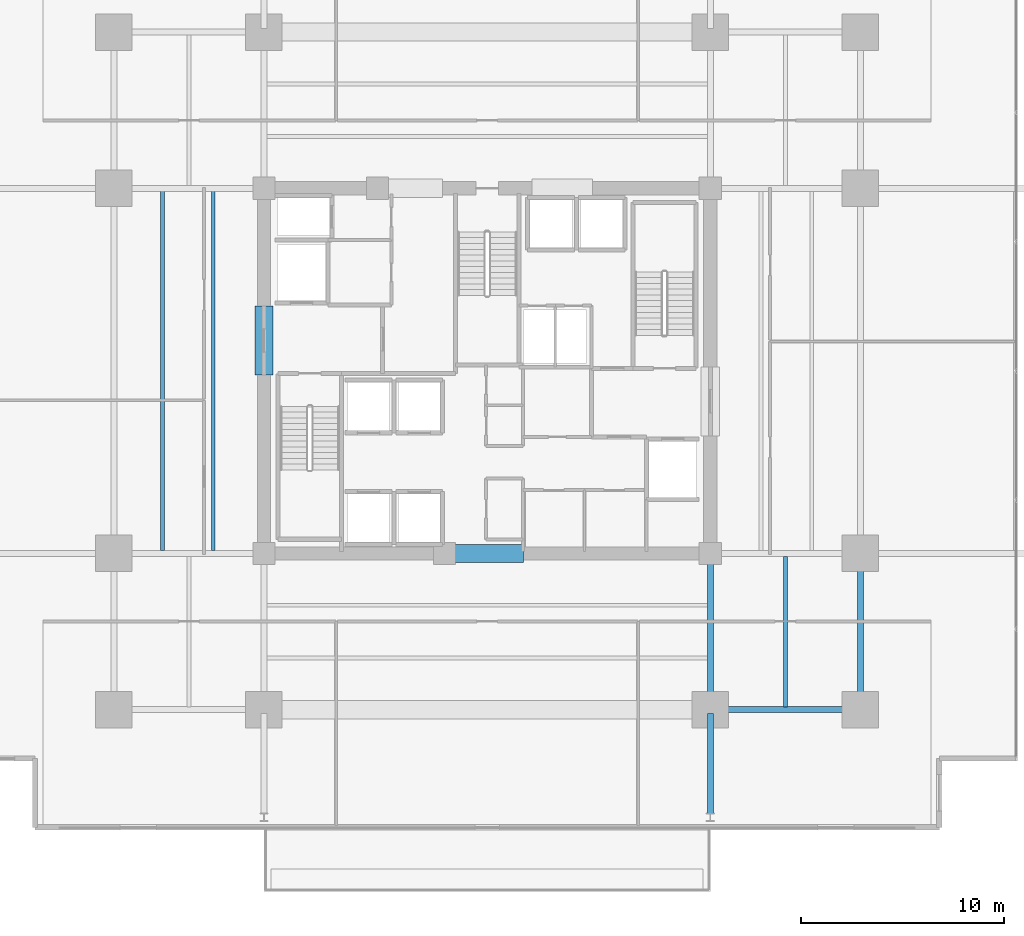
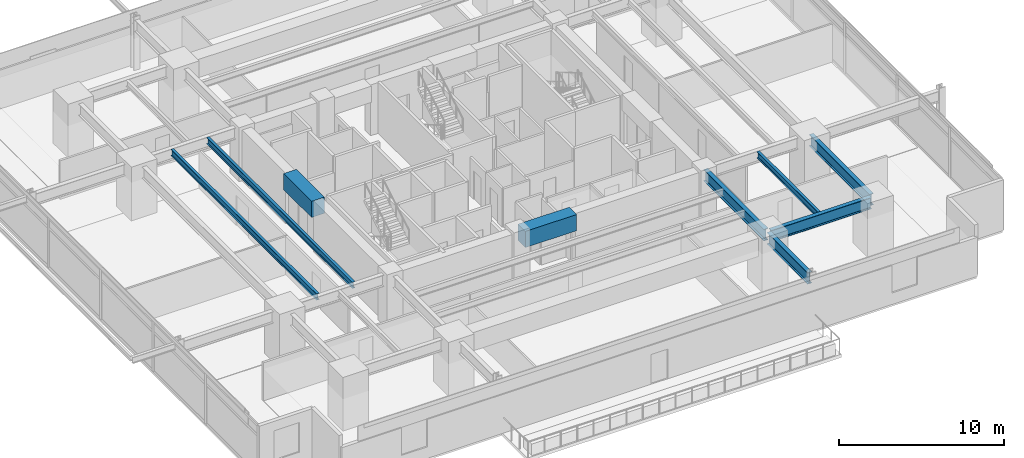
# One storey, part 6 of 22: 9 beams.
"""IFC4 building model written with IfcOpenShell, lengths in metres."""

from ifc_helpers import new_model, si_unit, direction, frame, origin, origin_2d, place, context, subcontext, project, spatial, rectangle, i_section, extrude, material, material_profile, profile_set, type_object, element, save


model = new_model("IFC4")

# Units and contexts
model_context = context("Model", 3, precision=1e-05, world=origin(), true_north=direction((0.0, 1.0)))
body_context = subcontext(model_context, "Body", "Model", "MODEL_VIEW")
ifc_project = project(units=[si_unit("LENGTHUNIT", "METRE"), si_unit("AREAUNIT", "SQUARE_METRE"), si_unit("VOLUMEUNIT", "CUBIC_METRE"), si_unit("PLANEANGLEUNIT", "RADIAN"), si_unit("MASSUNIT", "GRAM", prefix="KILO")], contexts=[model_context])

# Site, building, storey
site_placement = place(None, origin())
site = spatial("IfcSite", under=ifc_project, at=site_placement, CompositionType="ELEMENT")
building_placement = place(site_placement, origin())
building = spatial("IfcBuilding", under=site, at=building_placement, Name="Kovane Verandah Tower", CompositionType="ELEMENT")
storey_placement = place(building_placement, frame((0.0, 0.0, 71.60009765625)))
storey = spatial("IfcBuildingStorey", under=building, at=storey_placement, Name="L16", CompositionType="ELEMENT", Elevation=71.60009765625)

# Beams
ifc_material_1 = material(Name="Concrete C80/95", Category="concrete")
ifc_material_profile_1 = material_profile(ifc_material_1, rectangle(XDim=0.89990234375, YDim=1.199951171875, at=origin_2d()), Name="RCB900x1200")
ifc_profile_set_1 = profile_set([ifc_material_profile_1], Name="Concrete C80/95")
beam_type_1 = type_object("IfcBeamType", Name="BM-LINTEL-900x1200", PredefinedType="LINTEL", material=ifc_profile_set_1)
beam_1_placement = place(storey_placement, frame((38.199951171875, 18.5, 3.159912109375), z_axis=(1.0, 0.0, 0.0), x_axis=(0.0, 1.0, 0.0)))
element("IfcBeam", 1, at=beam_1_placement, inside=storey, type_object=beam_type_1, Name="L16 Core Coupling Lintel CL-S", PredefinedType="LINTEL", context=body_context, shape_type="SweptSolid", body=[
    extrude(rectangle(XDim=0.89990234375, YDim=1.199951171875, at=origin_2d()), origin(), (0.0, 0.0, 1.0), 3.60009765625),
])
beam_2_placement = place(storey_placement, frame((29.0, 27.300048828125, 3.159912109375), z_axis=(0.0, 1.0, 0.0), x_axis=(-1.0, 0.0, 0.0)))
element("IfcBeam", 2, at=beam_2_placement, inside=storey, type_object=beam_type_1, Name="L16 Core Coupling Lintel CL-W", PredefinedType="LINTEL", context=body_context, shape_type="SweptSolid", body=[
    extrude(rectangle(XDim=0.89990234375, YDim=1.199951171875, at=origin_2d()), origin(), (0.0, 0.0, 1.0), 3.39990234375),
])
ifc_material_2 = material(Name="Steel S355", Category="steel")
ifc_material_profile_2 = material_profile(ifc_material_2, i_section(OverallWidth=0.293701171875, OverallDepth=0.850830078125, WebThickness=0.01611328125, FlangeThickness=0.02685546875, FilletRadius=0.017822265625, at=origin_2d()), Name="UB838x292x226")
ifc_profile_set_2 = profile_set([ifc_material_profile_2], Name="Steel S355")
beam_type_2 = type_object("IfcBeamType", Name="BM-UB838x226", PredefinedType="BEAM", material=ifc_profile_set_2)
beam_3_placement = place(storey_placement, frame((51.179931640625, 10.800048828125, 3.33447265625), z_axis=(1.0, 0.0, 0.0), x_axis=(0.0, 1.0, 0.0)))
element("IfcBeam", 3, at=beam_3_placement, inside=storey, type_object=beam_type_2, Name="L16 Primary Tower Girder G-RS3", PredefinedType="BEAM", context=body_context, shape_type="SweptSolid", body=[
    extrude(i_section(OverallWidth=0.293701171875, OverallDepth=0.850830078125, WebThickness=0.01611328125, FlangeThickness=0.02685546875, FilletRadius=0.017822265625, at=origin_2d()), origin(), (0.0, 0.0, 1.0), 7.0400390625),
])
for number, where, z_axis, x_axis, name in (
    (4, (58.39990234375, 10.97998046875, 3.33447265625), (0.0, 1.0, 0.0), (-1.0, 0.0, 0.0), "L16 Primary Tower Girder G-RE1"),
    (5, (51.0, 18.320068359375, 3.33447265625), (0.0, -1.0, 0.0), (1.0, 0.0, 0.0), "L16 Primary Tower Girder G-S2"),
):
    element("IfcBeam", number, at=place(storey_placement, frame(where, z_axis=z_axis, x_axis=x_axis)), inside=storey, type_object=beam_type_2, Name=name, PredefinedType="BEAM", context=body_context, shape_type="SweptSolid", body=[
        extrude(i_section(OverallWidth=0.293701171875, OverallDepth=0.850830078125, WebThickness=0.01611328125, FlangeThickness=0.02685546875, FilletRadius=0.017822265625, at=origin_2d()), origin(), (0.0, 0.0, 1.0), 7.340087890625),
    ])
beam_4_placement = place(storey_placement, frame((51.0, 10.6201171875, 3.33447265625), z_axis=(0.0, -1.0, 0.0), x_axis=(1.0, 0.0, 0.0)))
element("IfcBeam", 6, at=beam_4_placement, inside=storey, type_object=beam_type_2, Name="L16 Primary Tower Girder G-VS2", PredefinedType="BEAM", context=body_context, shape_type="SweptSolid", body=[
    extrude(i_section(OverallWidth=0.293701171875, OverallDepth=0.850830078125, WebThickness=0.01611328125, FlangeThickness=0.02685546875, FilletRadius=0.017822265625, at=origin_2d()), origin(), (0.0, 0.0, 1.0), 4.940185546875),
])
ifc_material_profile_3 = material_profile(ifc_material_2, i_section(OverallWidth=0.19287109375, OverallDepth=0.46728515625, WebThickness=0.011474609375, FlangeThickness=0.01953125, FilletRadius=0.01025390625, at=origin_2d()), Name="UB457x191x98")
ifc_profile_set_3 = profile_set([ifc_material_profile_3], Name="Steel S355")
beam_type_3 = type_object("IfcBeamType", Name="JST-UB457x98", PredefinedType="JOIST", material=ifc_profile_set_3)
for number, where, z_axis, x_axis, name in (
    (7, (24.0, 18.64501953125, 3.5263671875), (0.0, 1.0, 0.0), (-1.0, 0.0, 0.0), "L16 Secondary Composite Joist J-W1"),
    (8, (26.5, 18.64501953125, 3.5263671875), (0.0, 1.0, 0.0), (-1.0, 0.0, 0.0), "L16 Secondary Composite Joist J-W2"),
):
    element("IfcBeam", number, at=place(storey_placement, frame(where, z_axis=z_axis, x_axis=x_axis)), inside=storey, type_object=beam_type_3, Name=name, PredefinedType="JOIST", context=body_context, shape_type="SweptSolid", body=[
        extrude(i_section(OverallWidth=0.19287109375, OverallDepth=0.46728515625, WebThickness=0.011474609375, FlangeThickness=0.01953125, FilletRadius=0.01025390625, at=origin_2d()), origin(), (0.0, 0.0, 1.0), 17.7099609375),
    ])
beam_5_placement = place(storey_placement, frame((54.699951171875, 10.94482421875, 3.5263671875), z_axis=(0.0, 1.0, 0.0), x_axis=(-1.0, 0.0, 0.0)))
element("IfcBeam", 9, at=beam_5_placement, inside=storey, type_object=beam_type_3, Name="L16 Secondary Composite Joist J-SE1", PredefinedType="JOIST", context=body_context, shape_type="SweptSolid", body=[
    extrude(i_section(OverallWidth=0.19287109375, OverallDepth=0.46728515625, WebThickness=0.011474609375, FlangeThickness=0.01953125, FilletRadius=0.01025390625, at=origin_2d()), origin(), (0.0, 0.0, 1.0), 7.41015625),
])

save(model, "model.ifc")
